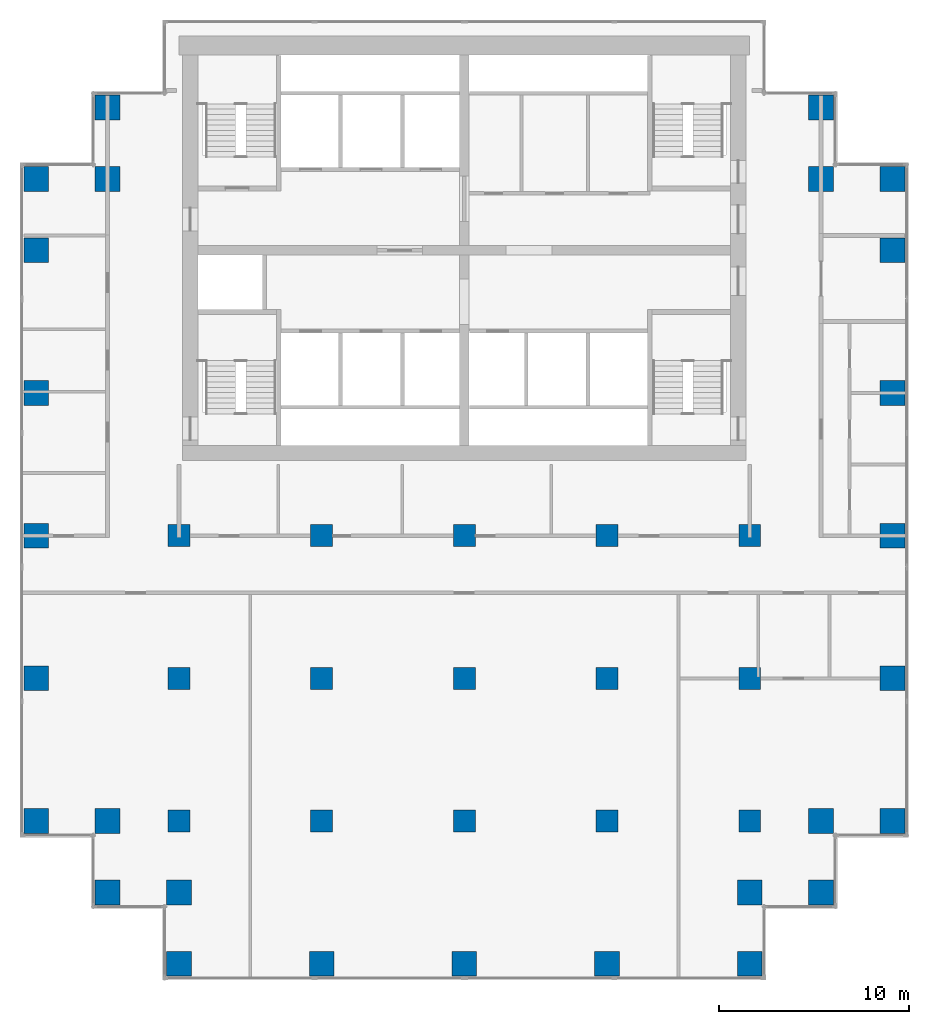
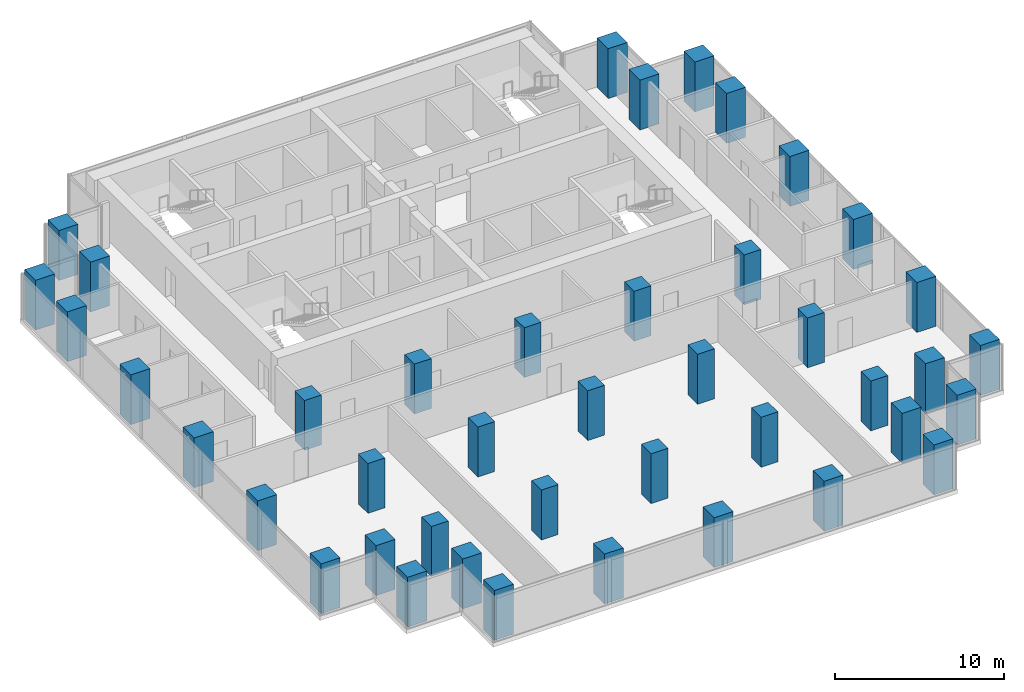
# One storey, part 1 of 10: 42 columns.
"""IFC4 building model written with IfcOpenShell, lengths in metres."""

from ifc_helpers import new_model, si_unit, direction, frame, origin, origin_2d, place, context, subcontext, project, spatial, rectangle, extrude, material, material_profile, profile_set, type_object, element, save


model = new_model("IFC4")

# Units and contexts
model_context = context("Model", 3, precision=1e-05, world=origin(), true_north=direction((0.0, 1.0)))
body_context = subcontext(model_context, "Body", "Model", "MODEL_VIEW")
ifc_project = project(units=[si_unit("LENGTHUNIT", "METRE"), si_unit("AREAUNIT", "SQUARE_METRE"), si_unit("VOLUMEUNIT", "CUBIC_METRE"), si_unit("PLANEANGLEUNIT", "RADIAN"), si_unit("MASSUNIT", "GRAM", prefix="KILO")], contexts=[model_context])

# Site, building, storey
site_placement = place(None, origin())
site = spatial("IfcSite", under=ifc_project, at=site_placement, CompositionType="ELEMENT")
building_placement = place(site_placement, origin())
building = spatial("IfcBuilding", under=site, at=building_placement, Name="Pilkhan Gate Tower", CompositionType="ELEMENT")
storey_placement = place(building_placement, frame((0.0, 0.0, 118.0)))
storey = spatial("IfcBuildingStorey", under=building, at=storey_placement, Name="L29", CompositionType="ELEMENT", Elevation=118.0)

# Columns
ifc_material = material(Name="Concrete C60/75", Category="concrete")
ifc_material_profile_1 = material_profile(ifc_material, rectangle(XDim=1.14990234375, YDim=1.14990234375, at=origin_2d()), Name="RC 1150x1150")
ifc_profile_set_1 = profile_set([ifc_material_profile_1], Name="Concrete C60/75")
column_type_1 = type_object("IfcColumnType", Name="Column C115 RC 1150x1150 C60/75", PredefinedType="COLUMN", material=ifc_profile_set_1)
for number, where, z_axis, x_axis, name in (
    (1, (60.0, 52.5, 0.0), (0.0, 0.0, 1.0), (1.0, 0.0, 0.0), "Column 7/D L29"),
    (2, (60.0, 60.0, 0.0), (0.0, 0.0, 1.0), (1.0, 0.0, 0.0), "Column 7/F L29"),
    (3, (60.0, 67.5, 0.0), (0.0, 0.0, 1.0), (1.0, 0.0, 0.0), "Column 7/H L29"),
    (4, (67.5, 52.5, 0.0), (0.0, 0.0, 1.0), (1.0, 0.0, 0.0), "Column 9/D L29"),
    (5, (67.5, 60.0, 0.0), (0.0, 0.0, 1.0), (1.0, 0.0, 0.0), "Column 9/F L29"),
    (6, (67.5, 67.5, 0.0), (0.0, 0.0, 1.0), (1.0, 0.0, 0.0), "Column 9/H L29"),
    (7, (75.0, 52.5, 0.0), (0.0, 0.0, 1.0), (1.0, 0.0, 0.0), "Column 11/D L29"),
    (8, (75.0, 60.0, 0.0), (0.0, 0.0, 1.0), (1.0, 0.0, 0.0), "Column 11/F L29"),
    (9, (75.0, 67.5, 0.0), (0.0, 0.0, 1.0), (1.0, 0.0, 0.0), "Column 11/H L29"),
    (10, (82.5, 52.5, 0.0), (0.0, 0.0, 1.0), (1.0, 0.0, 0.0), "Column 13/D L29"),
    (11, (82.5, 60.0, 0.0), (0.0, 0.0, 1.0), (1.0, 0.0, 0.0), "Column 13/F L29"),
    (12, (82.5, 67.5, 0.0), (0.0, 0.0, 1.0), (1.0, 0.0, 0.0), "Column 13/H L29"),
    (13, (90.0, 52.5, 0.0), (0.0, 0.0, 1.0), (1.0, 0.0, 0.0), "Column 15/D L29"),
    (14, (90.0, 60.0, 0.0), (0.0, 0.0, 1.0), (1.0, 0.0, 0.0), "Column 15/F L29"),
    (15, (90.0, 67.5, 0.0), (0.0, 0.0, 1.0), (1.0, 0.0, 0.0), "Column 15/H L29"),
):
    element("IfcColumn", number, at=place(storey_placement, frame(where, z_axis=z_axis, x_axis=x_axis)), inside=storey, type_object=column_type_1, Name=name, PredefinedType="COLUMN", context=body_context, shape_type="SweptSolid", body=[
        extrude(rectangle(XDim=1.14990234375, YDim=1.14990234375, at=origin_2d()), origin(), (0.0, 0.0, 1.0), 3.60009765625),
    ])
ifc_material_profile_2 = material_profile(ifc_material, rectangle(XDim=1.300048828125, YDim=1.300048828125, at=origin_2d()), Name="RC 1300x1300")
ifc_profile_set_2 = profile_set([ifc_material_profile_2], Name="Concrete C60/75")
column_type_2 = type_object("IfcColumnType", Name="Column C130 RC 1300x1300 C60/75", PredefinedType="COLUMN", material=ifc_profile_set_2)
for number, where, z_axis, x_axis, name in (
    (16, (52.5, 52.5, 0.0), (0.0, 0.0, 1.0), (1.0, 0.0, 0.0), "Column 5/D L29"),
    (17, (52.5, 60.0, 0.0), (0.0, 0.0, 1.0), (1.0, 0.0, 0.0), "Column 5/F L29"),
    (18, (52.5, 67.5, 0.0), (0.0, 0.0, 1.0), (1.0, 0.0, 0.0), "Column 5/H L29"),
    (19, (52.5, 75.0, 0.0), (0.0, 0.0, 1.0), (1.0, 0.0, 0.0), "Column 5/K L29"),
    (20, (52.5, 82.5, 0.0), (0.0, 0.0, 1.0), (1.0, 0.0, 0.0), "Column 5/M L29"),
    (21, (52.5, 86.25, 0.0), (0.0, 0.0, 1.0), (1.0, 0.0, 0.0), "Column 5/N L29"),
    (22, (56.25, 48.75, 0.0), (0.0, 0.0, 1.0), (1.0, 0.0, 0.0), "Column 6/C L29"),
    (23, (56.25, 52.5, 0.0), (0.0, 0.0, 1.0), (1.0, 0.0, 0.0), "Column 6/D L29"),
    (24, (56.25, 86.25, 0.0), (0.0, 0.0, 1.0), (1.0, 0.0, 0.0), "Column 6/N L29"),
    (25, (56.25, 90.0, 0.0), (0.0, 0.0, 1.0), (1.0, 0.0, 0.0), "Column 6/P L29"),
    (26, (60.0, 45.0, 0.0), (0.0, 0.0, 1.0), (1.0, 0.0, 0.0), "Column 7/B L29"),
    (27, (60.0, 48.75, 0.0), (0.0, 0.0, 1.0), (1.0, 0.0, 0.0), "Column 7/C L29"),
    (28, (67.5, 45.0, 0.0), (0.0, 0.0, 1.0), (1.0, 0.0, 0.0), "Column 9/B L29"),
    (29, (75.0, 45.0, 0.0), (0.0, 0.0, 1.0), (1.0, 0.0, 0.0), "Column 11/B L29"),
    (30, (82.5, 45.0, 0.0), (0.0, 0.0, 1.0), (1.0, 0.0, 0.0), "Column 13/B L29"),
    (31, (90.0, 45.0, 0.0), (0.0, 0.0, 1.0), (1.0, 0.0, 0.0), "Column 15/B L29"),
    (32, (90.0, 48.75, 0.0), (0.0, 0.0, 1.0), (1.0, 0.0, 0.0), "Column 15/C L29"),
    (33, (93.75, 48.75, 0.0), (0.0, 0.0, 1.0), (1.0, 0.0, 0.0), "Column 16/C L29"),
    (34, (93.75, 52.5, 0.0), (0.0, 0.0, 1.0), (1.0, 0.0, 0.0), "Column 16/D L29"),
    (35, (93.75, 86.25, 0.0), (0.0, 0.0, 1.0), (1.0, 0.0, 0.0), "Column 16/N L29"),
    (36, (93.75, 90.0, 0.0), (0.0, 0.0, 1.0), (1.0, 0.0, 0.0), "Column 16/P L29"),
    (37, (97.5, 52.5, 0.0), (0.0, 0.0, 1.0), (1.0, 0.0, 0.0), "Column 17/D L29"),
    (38, (97.5, 60.0, 0.0), (0.0, 0.0, 1.0), (1.0, 0.0, 0.0), "Column 17/F L29"),
    (39, (97.5, 67.5, 0.0), (0.0, 0.0, 1.0), (1.0, 0.0, 0.0), "Column 17/H L29"),
    (40, (97.5, 75.0, 0.0), (0.0, 0.0, 1.0), (1.0, 0.0, 0.0), "Column 17/K L29"),
    (41, (97.5, 82.5, 0.0), (0.0, 0.0, 1.0), (1.0, 0.0, 0.0), "Column 17/M L29"),
    (42, (97.5, 86.25, 0.0), (0.0, 0.0, 1.0), (1.0, 0.0, 0.0), "Column 17/N L29"),
):
    element("IfcColumn", number, at=place(storey_placement, frame(where, z_axis=z_axis, x_axis=x_axis)), inside=storey, type_object=column_type_2, Name=name, PredefinedType="COLUMN", context=body_context, shape_type="SweptSolid", body=[
        extrude(rectangle(XDim=1.300048828125, YDim=1.300048828125, at=origin_2d()), origin(), (0.0, 0.0, 1.0), 3.60009765625),
    ])

save(model, "model.ifc")
